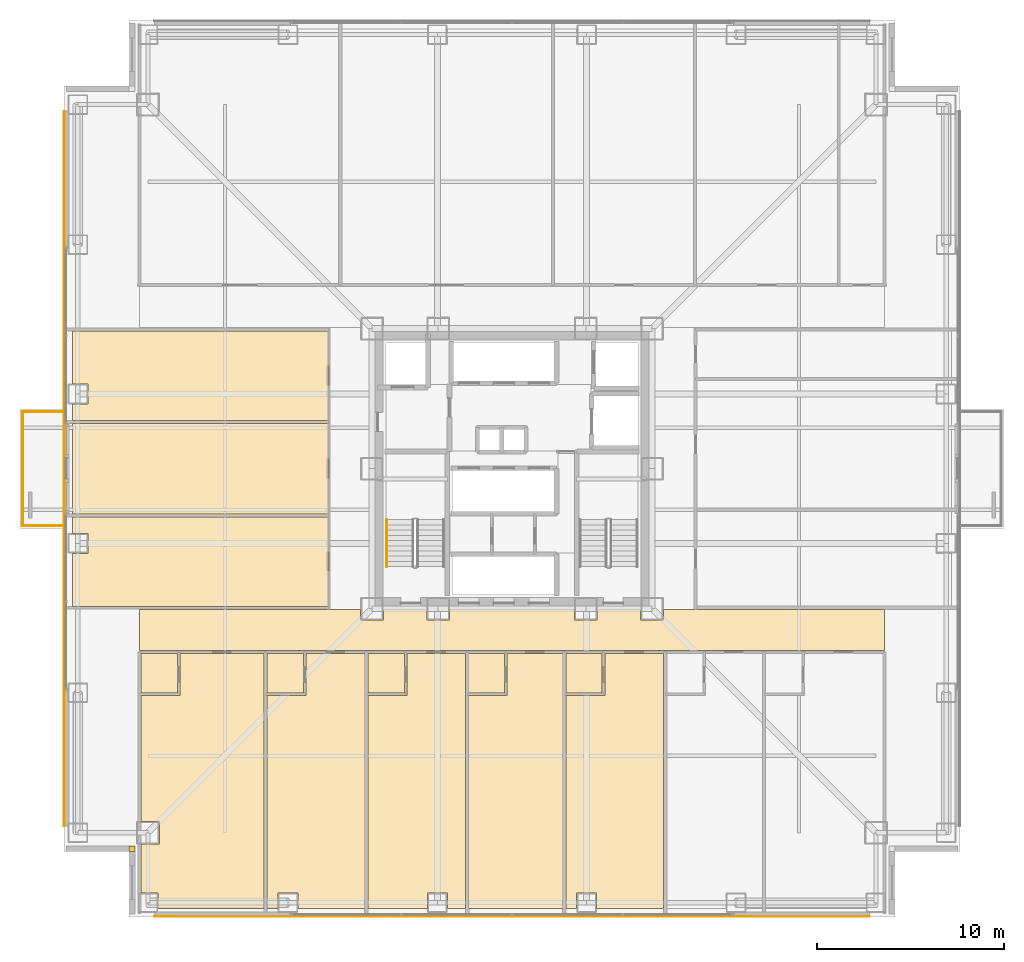
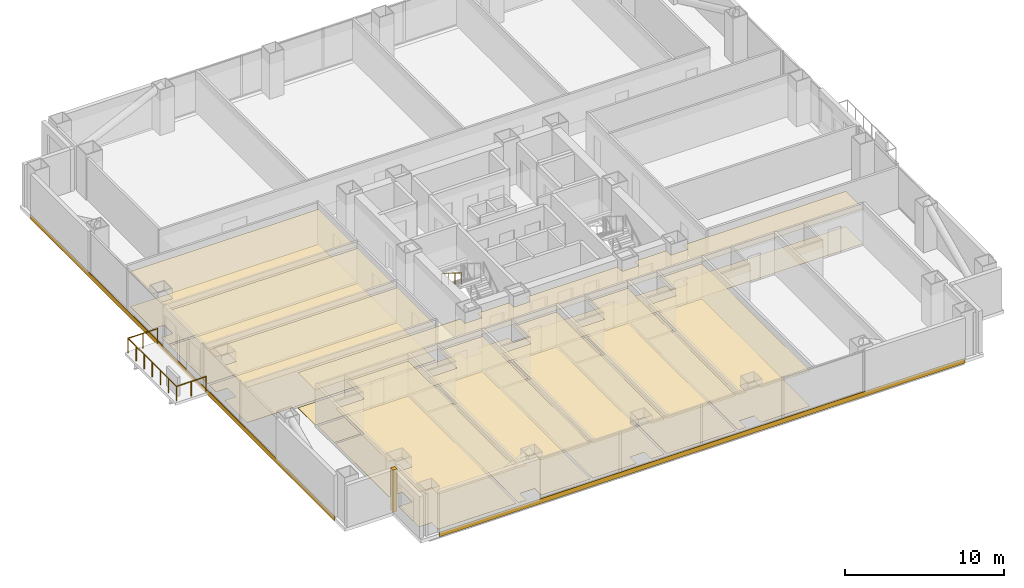
# One storey, part 18 of 20: 26 coverings, 4 railings.
"""IFC4 building model written with IfcOpenShell, lengths in metres."""

from ifc_helpers import new_model, si_unit, direction, frame, frame_2d, origin, origin_2d, place, context, subcontext, project, spatial, polyline, rectangle, circle, outline, extrude, material, layer, layer_set, type_object, element, save


model = new_model("IFC4")

# Units and contexts
model_context = context("Model", 3, precision=1e-05, world=origin(), true_north=direction((0.0, 1.0)))
body_context = subcontext(model_context, "Body", "Model", "MODEL_VIEW")
ifc_project = project(units=[si_unit("LENGTHUNIT", "METRE"), si_unit("AREAUNIT", "SQUARE_METRE"), si_unit("VOLUMEUNIT", "CUBIC_METRE"), si_unit("PLANEANGLEUNIT", "RADIAN"), si_unit("MASSUNIT", "GRAM", prefix="KILO")], contexts=[model_context])

# Site, building, storey
site_placement = place(None, origin())
site = spatial("IfcSite", under=ifc_project, at=site_placement, CompositionType="ELEMENT")
building_placement = place(site_placement, origin())
building = spatial("IfcBuilding", under=site, at=building_placement, Name="Trevonay Congress Spire", CompositionType="ELEMENT")
storey_placement = place(building_placement, frame((0.0, 0.0, 76.0)))
storey = spatial("IfcBuildingStorey", under=building, at=storey_placement, Name="L19", CompositionType="ELEMENT", Elevation=76.0)

# Coverings
ifc_material_1 = material(Name="Acoustic Mineral Fibre Board", Category="gypsum")
ifc_layer_1 = layer(ifc_material_1, 0.02490234375, Name="Acoustic Mineral Fibre Board")
ifc_layer_set_1 = layer_set([ifc_layer_1], Name="Acoustic Mineral Fibre Board")
covering_type_1 = type_object("IfcCoveringType", Name="COV-CEIL-ACOUSTIC", PredefinedType="CEILING", material=ifc_layer_set_1)
covering_1_placement = place(storey_placement, frame((0.0, 0.0, 2.699951171875)))
element("IfcCovering", 1, at=covering_1_placement, inside=storey, type_object=covering_type_1, Name="L19 Hotel Floor Corridor South acoustic suspended ceiling", PredefinedType="CEILING", context=body_context, shape_type="SweptSolid", body=[
    extrude(outline(polyline([(19.949951171875, -7.550048828125), (19.949951171875, -9.75), (-19.949951171875, -9.75), (-19.949951171875, -7.550048828125), (-8.110107421875, -7.550048828125), (-8.110107421875, -8.110107421875), (-6.889892578125, -8.110107421875), (-6.889892578125, -7.550048828125), (-4.56005859375, -7.550048828125), (-4.56005859375, -8.110107421875), (-3.340087890625, -8.110107421875), (-3.340087890625, -7.550048828125), (3.340087890625, -7.550048828125), (3.340087890625, -8.110107421875), (4.56005859375, -8.110107421875), (4.56005859375, -7.550048828125), (6.889892578125, -7.550048828125), (6.889892578125, -8.110107421875), (8.110107421875, -8.110107421875), (8.110107421875, -7.550048828125), (19.949951171875, -7.550048828125)])), origin(), (0.0, 0.0, 1.0), 0.025146484375),
])
covering_2_placement = place(storey_placement, frame((0.0, 0.0, 2.699951171875)))
element("IfcCovering", 2, at=covering_2_placement, inside=storey, type_object=covering_type_1, Name="L19 Corner Hotel Suite acoustic suspended ceiling", PredefinedType="CEILING", context=body_context, shape_type="SweptSolid", body=[
    extrude(outline(polyline([(-19.8701171875, -12.139892578125), (-17.780029296875, -12.139892578125), (-17.780029296875, -9.909912109375), (-13.280029296875, -9.909912109375), (-13.280029296875, -23.550048828125), (-18.965087890625, -23.550048828125), (-18.965087890625, -22.715087890625), (-19.8701171875, -22.715087890625), (-19.8701171875, -20.110107421875), (-18.889892578125, -20.110107421875), (-18.889892578125, -18.889892578125), (-19.8701171875, -18.889892578125), (-19.8701171875, -12.139892578125)])), origin(), (0.0, 0.0, 1.0), 0.025146484375),
])
covering_3_placement = place(storey_placement, frame((0.0, 0.0, 2.699951171875)))
element("IfcCovering", 3, at=covering_3_placement, inside=storey, type_object=covering_type_1, Name="L19 Corner Hotel Suite acoustic suspended ceiling", PredefinedType="CEILING", context=body_context, shape_type="SweptSolid", body=[
    extrude(outline(polyline([(-13.1201171875, -23.550048828125), (-13.1201171875, -12.139892578125), (-11.030029296875, -12.139892578125), (-11.030029296875, -9.909912109375), (-7.8798828125, -9.909912109375), (-7.8798828125, -23.550048828125), (-11.465087890625, -23.550048828125), (-11.465087890625, -22.715087890625), (-12.534912109375, -22.715087890625), (-12.534912109375, -23.550048828125), (-13.1201171875, -23.550048828125)])), origin(), (0.0, 0.0, 1.0), 0.025146484375),
])
covering_4_placement = place(storey_placement, frame((0.0, 0.0, 2.699951171875)))
element("IfcCovering", 4, at=covering_4_placement, inside=storey, type_object=covering_type_1, Name="L19 Corner Hotel Suite acoustic suspended ceiling", PredefinedType="CEILING", context=body_context, shape_type="SweptSolid", body=[
    extrude(outline(polyline([(-7.719970703125, -23.550048828125), (-7.719970703125, -12.139892578125), (-5.6298828125, -12.139892578125), (-5.6298828125, -9.909912109375), (-2.47998046875, -9.909912109375), (-2.47998046875, -23.550048828125), (-3.465087890625, -23.550048828125), (-3.465087890625, -22.715087890625), (-4.534912109375, -22.715087890625), (-4.534912109375, -23.550048828125), (-7.719970703125, -23.550048828125)])), origin(), (0.0, 0.0, 1.0), 0.025146484375),
])
covering_5_placement = place(storey_placement, frame((0.0, 0.0, 2.699951171875)))
element("IfcCovering", 5, at=covering_5_placement, inside=storey, type_object=covering_type_1, Name="L19 Corner Hotel Suite acoustic suspended ceiling", PredefinedType="CEILING", context=body_context, shape_type="SweptSolid", body=[
    extrude(outline(polyline([(-2.320068359375, -23.550048828125), (2.719970703125, -23.550048828125), (2.719970703125, -9.909912109375), (-0.264892578125, -9.909912109375), (-0.264892578125, -12.139892578125), (-2.320068359375, -12.139892578125), (-2.320068359375, -23.550048828125)])), origin(), (0.0, 0.0, 1.0), 0.025146484375),
])
covering_6_placement = place(storey_placement, frame((0.0, 0.0, 2.699951171875)))
element("IfcCovering", 6, at=covering_6_placement, inside=storey, type_object=covering_type_1, Name="L19 Corner Hotel Suite acoustic suspended ceiling", PredefinedType="CEILING", context=body_context, shape_type="SweptSolid", body=[
    extrude(outline(polyline([(2.8798828125, -23.550048828125), (2.8798828125, -12.139892578125), (4.969970703125, -12.139892578125), (4.969970703125, -9.909912109375), (8.1201171875, -9.909912109375), (8.1201171875, -23.550048828125), (4.534912109375, -23.550048828125), (4.534912109375, -22.715087890625), (3.465087890625, -22.715087890625), (3.465087890625, -23.550048828125), (2.8798828125, -23.550048828125)])), origin(), (0.0, 0.0, 1.0), 0.025146484375),
])
covering_7_placement = place(storey_placement, frame((0.0, 0.0, 2.699951171875)))
element("IfcCovering", 7, at=covering_7_placement, inside=storey, type_object=covering_type_1, Name="L19 Ambassador Briefing Room acoustic suspended ceiling", PredefinedType="CEILING", context=body_context, shape_type="SweptSolid", body=[
    extrude(outline(polyline([(-23.550048828125, -2.580078125), (-9.830078125, -2.580078125), (-9.830078125, -7.3701171875), (-23.550048828125, -7.3701171875), (-23.550048828125, -4.534912109375), (-22.715087890625, -4.534912109375), (-22.715087890625, -3.465087890625), (-23.550048828125, -3.465087890625), (-23.550048828125, -2.580078125)])), origin(), (0.0, 0.0, 1.0), 0.025146484375),
])
covering_8_placement = place(storey_placement, frame((0.0, 0.0, 2.699951171875)))
element("IfcCovering", 8, at=covering_8_placement, inside=storey, type_object=covering_type_1, Name="L19 Security Command Office acoustic suspended ceiling", PredefinedType="CEILING", context=body_context, shape_type="SweptSolid", body=[
    extrude(outline(polyline([(-23.550048828125, -2.419921875), (-9.830078125, -2.419921875), (-9.830078125, 2.419921875), (-23.550048828125, 2.419921875), (-23.550048828125, -2.419921875)])), origin(), (0.0, 0.0, 1.0), 0.025146484375),
])
covering_9_placement = place(storey_placement, frame((0.0, 0.0, 2.699951171875)))
element("IfcCovering", 9, at=covering_9_placement, inside=storey, type_object=covering_type_1, Name="L19 Private Dining Room acoustic suspended ceiling", PredefinedType="CEILING", context=body_context, shape_type="SweptSolid", body=[
    extrude(outline(polyline([(-23.550048828125, 7.3701171875), (-9.830078125, 7.3701171875), (-9.830078125, 2.580078125), (-23.550048828125, 2.580078125), (-23.550048828125, 3.465087890625), (-22.715087890625, 3.465087890625), (-22.715087890625, 4.534912109375), (-23.550048828125, 4.534912109375), (-23.550048828125, 7.3701171875)])), origin(), (0.0, 0.0, 1.0), 0.025146484375),
])
ifc_material_2 = material(Name="Polished Granite Floor Tile", Category="masonry")
ifc_layer_2 = layer(ifc_material_2, 0.02001953125, Name="Polished Granite Floor Tile")
ifc_layer_set_2 = layer_set([ifc_layer_2], Name="Polished Granite Floor Tile")
covering_type_2 = type_object("IfcCoveringType", Name="COV-FLOOR-STONE", PredefinedType="FLOORING", material=ifc_layer_set_2)
covering_10_placement = place(storey_placement, origin())
element("IfcCovering", 10, at=covering_10_placement, inside=storey, type_object=covering_type_2, Name="L19 Hotel Floor Corridor South floor finish", PredefinedType="FLOORING", context=body_context, shape_type="SweptSolid", body=[
    extrude(outline(polyline([(19.949951171875, -7.550048828125), (19.949951171875, -9.75), (-19.949951171875, -9.75), (-19.949951171875, -7.550048828125), (-8.110107421875, -7.550048828125), (-8.110107421875, -8.110107421875), (-6.889892578125, -8.110107421875), (-6.889892578125, -7.550048828125), (-4.56005859375, -7.550048828125), (-4.56005859375, -8.110107421875), (-3.340087890625, -8.110107421875), (-3.340087890625, -7.550048828125), (3.340087890625, -7.550048828125), (3.340087890625, -8.110107421875), (4.56005859375, -8.110107421875), (4.56005859375, -7.550048828125), (6.889892578125, -7.550048828125), (6.889892578125, -8.110107421875), (8.110107421875, -8.110107421875), (8.110107421875, -7.550048828125), (19.949951171875, -7.550048828125)])), origin(), (0.0, 0.0, 1.0), 0.02001953125),
])
covering_11_placement = place(storey_placement, origin())
element("IfcCovering", 11, at=covering_11_placement, inside=storey, type_object=covering_type_2, Name="L19 En-suite Bathroom floor finish", PredefinedType="FLOORING", context=body_context, shape_type="SweptSolid", body=[
    extrude(outline(polyline([(-19.8701171875, -12.02001953125), (-17.919921875, -12.02001953125), (-17.919921875, -9.909912109375), (-19.8701171875, -9.909912109375), (-19.8701171875, -12.02001953125)])), origin(), (0.0, 0.0, 1.0), 0.02001953125),
])
covering_12_placement = place(storey_placement, origin())
element("IfcCovering", 12, at=covering_12_placement, inside=storey, type_object=covering_type_2, Name="L19 En-suite Bathroom floor finish", PredefinedType="FLOORING", context=body_context, shape_type="SweptSolid", body=[
    extrude(outline(polyline([(-13.1201171875, -12.02001953125), (-11.169921875, -12.02001953125), (-11.169921875, -9.909912109375), (-13.1201171875, -9.909912109375), (-13.1201171875, -12.02001953125)])), origin(), (0.0, 0.0, 1.0), 0.02001953125),
])
covering_13_placement = place(storey_placement, origin())
element("IfcCovering", 13, at=covering_13_placement, inside=storey, type_object=covering_type_2, Name="L19 En-suite Bathroom floor finish", PredefinedType="FLOORING", context=body_context, shape_type="SweptSolid", body=[
    extrude(outline(polyline([(-7.719970703125, -12.02001953125), (-5.77001953125, -12.02001953125), (-5.77001953125, -9.909912109375), (-7.719970703125, -9.909912109375), (-7.719970703125, -12.02001953125)])), origin(), (0.0, 0.0, 1.0), 0.02001953125),
])
covering_14_placement = place(storey_placement, origin())
element("IfcCovering", 14, at=covering_14_placement, inside=storey, type_object=covering_type_2, Name="L19 En-suite Bathroom floor finish", PredefinedType="FLOORING", context=body_context, shape_type="SweptSolid", body=[
    extrude(outline(polyline([(-2.320068359375, -12.02001953125), (-0.405029296875, -12.02001953125), (-0.405029296875, -9.909912109375), (-2.320068359375, -9.909912109375), (-2.320068359375, -12.02001953125)])), origin(), (0.0, 0.0, 1.0), 0.02001953125),
])
covering_15_placement = place(storey_placement, origin())
element("IfcCovering", 15, at=covering_15_placement, inside=storey, type_object=covering_type_2, Name="L19 En-suite Bathroom floor finish", PredefinedType="FLOORING", context=body_context, shape_type="SweptSolid", body=[
    extrude(outline(polyline([(2.8798828125, -12.02001953125), (4.830078125, -12.02001953125), (4.830078125, -9.909912109375), (2.8798828125, -9.909912109375), (2.8798828125, -12.02001953125)])), origin(), (0.0, 0.0, 1.0), 0.02001953125),
])
covering_16_placement = place(storey_placement, origin())
element("IfcCovering", 16, at=covering_16_placement, inside=storey, type_object=covering_type_2, Name="L19 Private Dining Room floor finish", PredefinedType="FLOORING", context=body_context, shape_type="SweptSolid", body=[
    extrude(outline(polyline([(-23.550048828125, 7.3701171875), (-9.830078125, 7.3701171875), (-9.830078125, 2.580078125), (-23.550048828125, 2.580078125), (-23.550048828125, 3.465087890625), (-22.715087890625, 3.465087890625), (-22.715087890625, 4.534912109375), (-23.550048828125, 4.534912109375), (-23.550048828125, 7.3701171875)])), origin(), (0.0, 0.0, 1.0), 0.02001953125),
])
ifc_material_3 = material(Name="Engineered Oak Flooring", Category="wood")
ifc_layer_3 = layer(ifc_material_3, 0.01806640625, Name="Engineered Oak Flooring")
ifc_layer_set_3 = layer_set([ifc_layer_3], Name="Engineered Oak Flooring")
covering_type_3 = type_object("IfcCoveringType", Name="COV-FLOOR-TIMBER", PredefinedType="FLOORING", material=ifc_layer_set_3)
covering_17_placement = place(storey_placement, origin())
element("IfcCovering", 17, at=covering_17_placement, inside=storey, type_object=covering_type_3, Name="L19 Corner Hotel Suite floor finish", PredefinedType="FLOORING", context=body_context, shape_type="SweptSolid", body=[
    extrude(outline(polyline([(-19.8701171875, -12.139892578125), (-17.780029296875, -12.139892578125), (-17.780029296875, -9.909912109375), (-13.280029296875, -9.909912109375), (-13.280029296875, -23.550048828125), (-18.965087890625, -23.550048828125), (-18.965087890625, -22.715087890625), (-19.8701171875, -22.715087890625), (-19.8701171875, -20.110107421875), (-18.889892578125, -20.110107421875), (-18.889892578125, -18.889892578125), (-19.8701171875, -18.889892578125), (-19.8701171875, -12.139892578125)])), origin(), (0.0, 0.0, 1.0), 0.01806640625),
])
covering_18_placement = place(storey_placement, origin())
element("IfcCovering", 18, at=covering_18_placement, inside=storey, type_object=covering_type_3, Name="L19 Corner Hotel Suite floor finish", PredefinedType="FLOORING", context=body_context, shape_type="SweptSolid", body=[
    extrude(outline(polyline([(-13.1201171875, -23.550048828125), (-13.1201171875, -12.139892578125), (-11.030029296875, -12.139892578125), (-11.030029296875, -9.909912109375), (-7.8798828125, -9.909912109375), (-7.8798828125, -23.550048828125), (-11.465087890625, -23.550048828125), (-11.465087890625, -22.715087890625), (-12.534912109375, -22.715087890625), (-12.534912109375, -23.550048828125), (-13.1201171875, -23.550048828125)])), origin(), (0.0, 0.0, 1.0), 0.01806640625),
])
covering_19_placement = place(storey_placement, origin())
element("IfcCovering", 19, at=covering_19_placement, inside=storey, type_object=covering_type_3, Name="L19 Corner Hotel Suite floor finish", PredefinedType="FLOORING", context=body_context, shape_type="SweptSolid", body=[
    extrude(outline(polyline([(-7.719970703125, -23.550048828125), (-7.719970703125, -12.139892578125), (-5.6298828125, -12.139892578125), (-5.6298828125, -9.909912109375), (-2.47998046875, -9.909912109375), (-2.47998046875, -23.550048828125), (-3.465087890625, -23.550048828125), (-3.465087890625, -22.715087890625), (-4.534912109375, -22.715087890625), (-4.534912109375, -23.550048828125), (-7.719970703125, -23.550048828125)])), origin(), (0.0, 0.0, 1.0), 0.01806640625),
])
covering_20_placement = place(storey_placement, origin())
element("IfcCovering", 20, at=covering_20_placement, inside=storey, type_object=covering_type_3, Name="L19 Corner Hotel Suite floor finish", PredefinedType="FLOORING", context=body_context, shape_type="SweptSolid", body=[
    extrude(outline(polyline([(-2.320068359375, -23.550048828125), (2.719970703125, -23.550048828125), (2.719970703125, -9.909912109375), (-0.264892578125, -9.909912109375), (-0.264892578125, -12.139892578125), (-2.320068359375, -12.139892578125), (-2.320068359375, -23.550048828125)])), origin(), (0.0, 0.0, 1.0), 0.01806640625),
])
covering_21_placement = place(storey_placement, origin())
element("IfcCovering", 21, at=covering_21_placement, inside=storey, type_object=covering_type_3, Name="L19 Corner Hotel Suite floor finish", PredefinedType="FLOORING", context=body_context, shape_type="SweptSolid", body=[
    extrude(outline(polyline([(2.8798828125, -23.550048828125), (2.8798828125, -12.139892578125), (4.969970703125, -12.139892578125), (4.969970703125, -9.909912109375), (8.1201171875, -9.909912109375), (8.1201171875, -23.550048828125), (4.534912109375, -23.550048828125), (4.534912109375, -22.715087890625), (3.465087890625, -22.715087890625), (3.465087890625, -23.550048828125), (2.8798828125, -23.550048828125)])), origin(), (0.0, 0.0, 1.0), 0.01806640625),
])
covering_22_placement = place(storey_placement, origin())
element("IfcCovering", 22, at=covering_22_placement, inside=storey, type_object=covering_type_3, Name="L19 Ambassador Briefing Room floor finish", PredefinedType="FLOORING", context=body_context, shape_type="SweptSolid", body=[
    extrude(outline(polyline([(-23.550048828125, -2.580078125), (-9.830078125, -2.580078125), (-9.830078125, -7.3701171875), (-23.550048828125, -7.3701171875), (-23.550048828125, -4.534912109375), (-22.715087890625, -4.534912109375), (-22.715087890625, -3.465087890625), (-23.550048828125, -3.465087890625), (-23.550048828125, -2.580078125)])), origin(), (0.0, 0.0, 1.0), 0.01806640625),
])
covering_23_placement = place(storey_placement, origin())
element("IfcCovering", 23, at=covering_23_placement, inside=storey, type_object=covering_type_3, Name="L19 Security Command Office floor finish", PredefinedType="FLOORING", context=body_context, shape_type="SweptSolid", body=[
    extrude(outline(polyline([(-23.550048828125, -2.419921875), (-9.830078125, -2.419921875), (-9.830078125, 2.419921875), (-23.550048828125, 2.419921875), (-23.550048828125, -2.419921875)])), origin(), (0.0, 0.0, 1.0), 0.01806640625),
])
ifc_material_4 = material(Name="Pale Anodised Aluminium EN AW-6063-T6", Category="aluminium")
ifc_layer_4 = layer(ifc_material_4, 0.0400390625, Name="Pale Anodised Aluminium EN AW-6063-T6")
ifc_layer_set_4 = layer_set([ifc_layer_4], Name="Pale Anodised Aluminium EN AW-6063-T6")
covering_type_4 = type_object("IfcCoveringType", Name="COV-SPANDREL-PALE-METAL", PredefinedType="CLADDING", material=ifc_layer_set_4)
for number, where, z_axis, x_axis, name in (
    (24, (-19.14990234375, -23.97998046875, -0.239990234375), (0.0, 0.0, 1.0), (1.0, 0.0, 0.0), "L19 S pale-metal slab-edge spandrel cladding"),
    (25, (-23.97998046875, -19.14990234375, -0.239990234375), (0.0, 0.0, 1.0), (0.0, 1.0, 0.0), "L19 W pale-metal slab-edge spandrel cladding"),
):
    element("IfcCovering", number, at=place(storey_placement, frame(where, z_axis=z_axis, x_axis=x_axis)), inside=storey, type_object=covering_type_4, Name=name, PredefinedType="CLADDING", context=body_context, shape_type="SweptSolid", body=[
        extrude(rectangle(XDim=38.2998046875, YDim=0.0400390625, at=frame_2d((19.14990234375, 0.0))), origin(), (0.0, 0.0, 1.0), 0.360107421875),
    ])
covering_24_placement = place(storey_placement, origin())
element("IfcCovering", 26, at=covering_24_placement, inside=storey, type_object=covering_type_4, Name="L19 SW re-entrant notch corner closure trim", PredefinedType="CLADDING", context=body_context, shape_type="SweptSolid", body=[
    extrude(outline(polyline([(-20.5, -20.5), (-20.199951171875, -20.5), (-20.199951171875, -20.199951171875), (-20.5, -20.199951171875), (-20.5, -20.5)])), origin(), (0.0, 0.0, 1.0), 3.25),
])

# Railings
railing_type_1 = type_object("IfcRailingType", Name="RAL-EXT-GUARD-115", PredefinedType="GUARDRAIL", material=ifc_material_4)
railing_1_placement = place(storey_placement, frame((-24.050048828125, -3.050048828125, 0.0)))
element("IfcRailing", 27, at=railing_1_placement, inside=storey, type_object=railing_type_1, Name="L19 perimeter safety guard GRD-L19-TBAL-W-1", PredefinedType="GUARDRAIL", context=body_context, shape_type="SweptSolid", body=[
    extrude(circle(Radius=0.02392578125, at=origin_2d()), frame((0.0, 0.0, 1.1259765625), z_axis=(-1.0, 0.0, 0.0), x_axis=(0.0, -1.0, 0.0)), (0.0, 0.0, 1.0), 2.14990234375),
    extrude(circle(Radius=0.02099609375, at=origin_2d()), origin(), (0.0, 0.0, 1.0), 1.101806640625),
    extrude(circle(Radius=0.02099609375, at=origin_2d()), frame((-1.074951171875, 0.0, 0.0)), (0.0, 0.0, 1.0), 1.101806640625),
    extrude(circle(Radius=0.02099609375, at=origin_2d()), frame((-2.14990234375, 0.0, 0.0)), (0.0, 0.0, 1.0), 1.101806640625),
])
railing_2_placement = place(storey_placement, frame((-26.199951171875, -3.050048828125, 0.0)))
element("IfcRailing", 28, at=railing_2_placement, inside=storey, type_object=railing_type_1, Name="L19 perimeter safety guard GRD-L19-TBAL-W-2", PredefinedType="GUARDRAIL", context=body_context, shape_type="SweptSolid", body=[
    extrude(circle(Radius=0.02392578125, at=origin_2d()), frame((0.0, 0.0, 1.1259765625), z_axis=(0.0, 1.0, 0.0), x_axis=(-1.0, 0.0, 0.0)), (0.0, 0.0, 1.0), 6.10009765625),
    extrude(circle(Radius=0.02099609375, at=origin_2d()), origin(), (0.0, 0.0, 1.0), 1.101806640625),
    extrude(circle(Radius=0.02099609375, at=origin_2d()), frame((0.0, 1.0166015625, 0.0)), (0.0, 0.0, 1.0), 1.101806640625),
    extrude(circle(Radius=0.02099609375, at=origin_2d()), frame((0.0, 2.033447265625, 0.0)), (0.0, 0.0, 1.0), 1.101806640625),
    extrude(circle(Radius=0.02099609375, at=origin_2d()), frame((0.0, 3.050048828125, 0.0)), (0.0, 0.0, 1.0), 1.101806640625),
    extrude(circle(Radius=0.02099609375, at=origin_2d()), frame((0.0, 4.066650390625, 0.0)), (0.0, 0.0, 1.0), 1.101806640625),
    extrude(circle(Radius=0.02099609375, at=origin_2d()), frame((0.0, 5.08349609375, 0.0)), (0.0, 0.0, 1.0), 1.101806640625),
    extrude(circle(Radius=0.02099609375, at=origin_2d()), frame((0.0, 6.10009765625, 0.0)), (0.0, 0.0, 1.0), 1.101806640625),
])
railing_3_placement = place(storey_placement, frame((-26.199951171875, 3.050048828125, 0.0)))
element("IfcRailing", 29, at=railing_3_placement, inside=storey, type_object=railing_type_1, Name="L19 perimeter safety guard GRD-L19-TBAL-W-3", PredefinedType="GUARDRAIL", context=body_context, shape_type="SweptSolid", body=[
    extrude(circle(Radius=0.02392578125, at=origin_2d()), frame((0.0, 0.0, 1.1259765625), z_axis=(1.0, 0.0, 0.0), x_axis=(0.0, 1.0, 0.0)), (0.0, 0.0, 1.0), 2.14990234375),
    extrude(circle(Radius=0.02099609375, at=origin_2d()), origin(), (0.0, 0.0, 1.0), 1.101806640625),
    extrude(circle(Radius=0.02099609375, at=origin_2d()), frame((1.074951171875, 0.0, 0.0)), (0.0, 0.0, 1.0), 1.101806640625),
    extrude(circle(Radius=0.02099609375, at=origin_2d()), frame((2.14990234375, 0.0, 0.0)), (0.0, 0.0, 1.0), 1.101806640625),
])
railing_type_2 = type_object("IfcRailingType", Name="RAL-STAIR-HANDRAIL", PredefinedType="HANDRAIL", material=ifc_material_4)
railing_4_placement = place(storey_placement, frame((-6.699951171875, -2.72998046875, 1.925048828125)))
element("IfcRailing", 30, at=railing_4_placement, inside=storey, type_object=railing_type_2, Name="L19 ST-1 stair handrail 2", PredefinedType="HANDRAIL", context=body_context, shape_type="SweptSolid", body=[
    extrude(circle(Radius=0.02392578125, at=origin_2d()), frame((0.0, 0.0, 0.8759765625), z_axis=(0.0, -0.848007534815, 0.529984170421), x_axis=(1.0, 0.0, 0.0)), (0.0, 0.0, 1.0), 2.9716796875),
    extrude(circle(Radius=0.02099609375, at=origin_2d()), origin(), (0.0, 0.0, 1.0), 0.851806640625),
    extrude(circle(Radius=0.02099609375, at=origin_2d()), frame((0.0, -0.840087890625, 0.52490234375)), (0.0, 0.0, 1.0), 0.851806640625),
    extrude(circle(Radius=0.02099609375, at=origin_2d()), frame((0.0, -1.679931640625, 1.050048828125)), (0.0, 0.0, 1.0), 0.851806640625),
    extrude(circle(Radius=0.02099609375, at=origin_2d()), frame((0.0, -2.52001953125, 1.574951171875)), (0.0, 0.0, 1.0), 0.851806640625),
])

save(model, "model.ifc")
